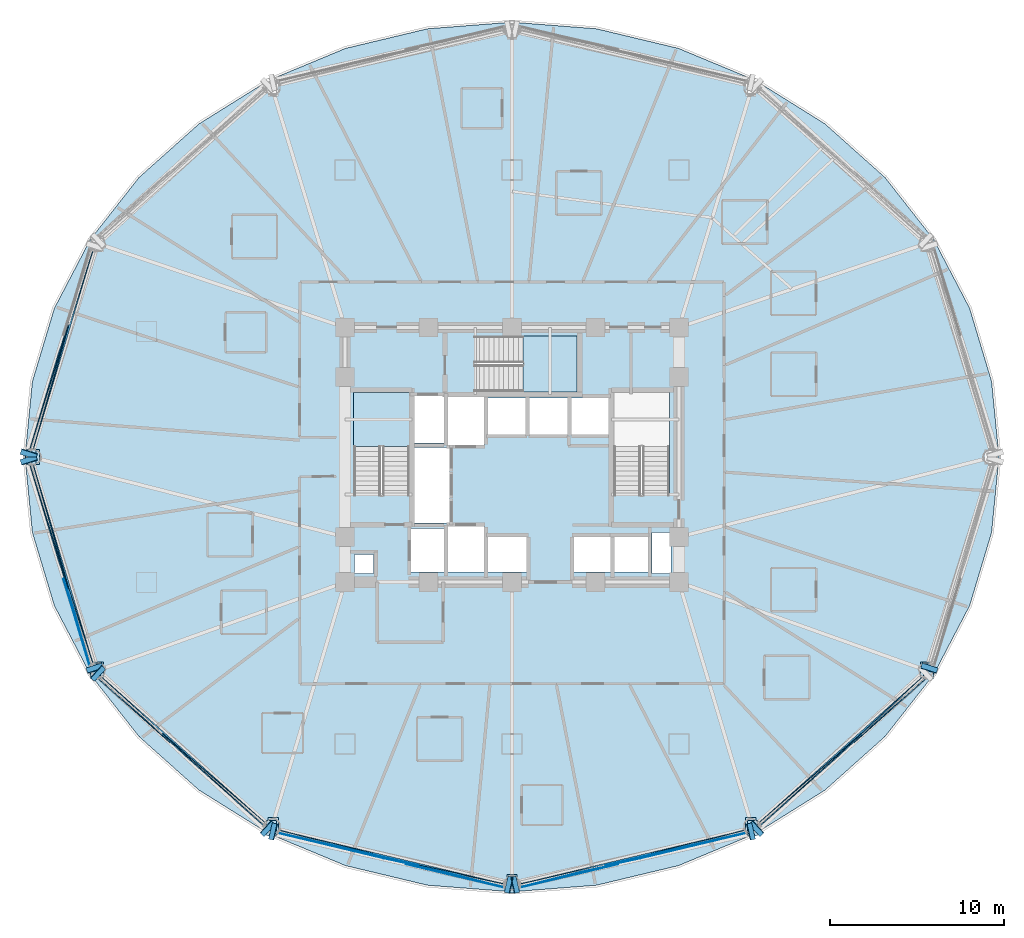
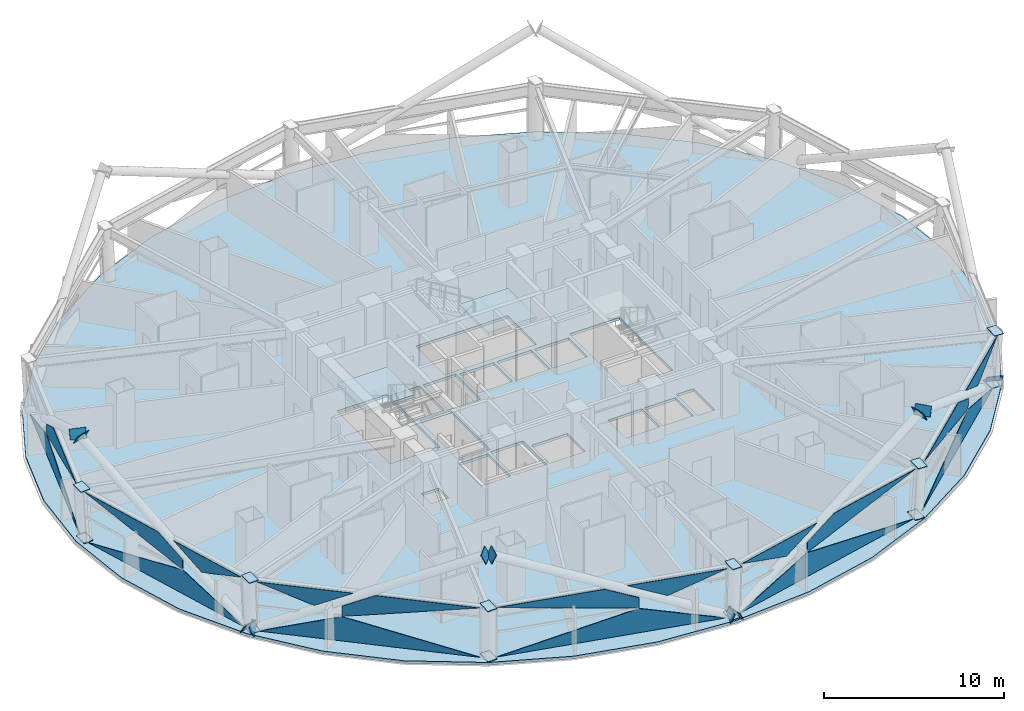
# One storey, part 5 of 16: 40 plates, 3 slabs, 8 elements without a shape of their own.
"""IFC4 building model written with IfcOpenShell, lengths in metres."""

from ifc_helpers import new_model, si_unit, direction, frame, origin, place, context, subcontext, project, spatial, polyline, outline, extrude, material, layer, layer_set, type_object, element, aggregate, save


model = new_model("IFC4")

# Units and contexts
model_context = context("Model", 3, precision=1e-05, world=origin(), true_north=direction((0.0, 1.0)))
body_context = subcontext(model_context, "Body", "Model", "MODEL_VIEW")
ifc_project = project(units=[si_unit("LENGTHUNIT", "METRE"), si_unit("AREAUNIT", "SQUARE_METRE"), si_unit("VOLUMEUNIT", "CUBIC_METRE"), si_unit("PLANEANGLEUNIT", "RADIAN"), si_unit("MASSUNIT", "GRAM", prefix="KILO")], contexts=[model_context])

# Site, building, storey
site_placement = place(None, origin())
site = spatial("IfcSite", under=ifc_project, at=site_placement, CompositionType="ELEMENT")
building_placement = place(site_placement, origin())
building = spatial("IfcBuilding", under=site, at=building_placement, Name="Vantalir Tower", CompositionType="ELEMENT")
storey_placement = place(building_placement, frame((0.0, 0.0, 64.5)))
storey = spatial("IfcBuildingStorey", under=building, at=storey_placement, Name="L15", CompositionType="ELEMENT", Elevation=64.5)

# Curtain wall, plates
ifc_material_1 = material(Name="Champagne-silver PVDF aluminium and double-silver Low-E glass", Category="aluminium")
ifc_layer_1 = layer(ifc_material_1, 0.18994140625)
ifc_layer_set_1 = layer_set([ifc_layer_1], Name="Champagne-silver PVDF aluminium and double-silver Low-E glass")
curtain_wall_type = type_object("IfcCurtainWallType", Name="CW-DIAMOND-Z1", PredefinedType="USERDEFINED", material=ifc_layer_set_1)
curtain_wall_1_placement = place(storey_placement, origin())
curtain_wall_1 = element("IfcCurtainWall", 1, at=curtain_wall_1_placement, inside=storey, type_object=curtain_wall_type, Name="L15 Quilted Pyramid-Diamond Curtain Wall S06", ObjectType="UNITISED CURTAIN WALL", PredefinedType="USERDEFINED")
ifc_material_2 = material(Name="Double-silver Low-E laminated glass IGU", Category="glass")
ifc_layer_2 = layer(ifc_material_2, 0.028076171875)
ifc_layer_set_2 = layer_set([ifc_layer_2], Name="Double-silver Low-E laminated glass IGU")
plate_type_1 = type_object("IfcPlateType", Name="CWP-IGU-28", PredefinedType="CURTAIN_PANEL", material=ifc_layer_set_2)
plate_1_placement = place(storey_placement, frame((7.42236328125, 36.855712890625, 0.046630859375), z_axis=(0.955438822627, -0.287171657757, 0.068330777817), x_axis=(-0.287843084169, -0.957677585869, -2.0525035e-05)))
plate_1 = element("IfcPlate", 2, at=plate_1_placement, type_object=plate_type_1, Name="CW-L15-S06 Pyramid Diamond Facet 1L", PredefinedType="CURTAIN_PANEL", context=body_context, shape_type="SweptSolid", body=[
    extrude(outline(polyline([(0.0, 0.0), (11.894772927721332, -6.754579534584693e-17), (4.525849050805046, -1.7309452362101154), (0.0, 0.0)])), origin(), (0.0, 0.0, -1.0), 0.028076171875),
])
plate_2_placement = place(storey_placement, frame((5.41357421875, 30.83349609375, 3.5234375), z_axis=(0.956868029532, -0.287623310642, 0.040943927936), x_axis=(-0.287866437535, -0.957670565582, 4.4262389e-05)))
plate_2 = element("IfcPlate", 3, at=plate_2_placement, type_object=plate_type_1, Name="CW-L15-S06 Pyramid Diamond Facet 2U", PredefinedType="CURTAIN_PANEL", context=body_context, shape_type="SweptSolid", body=[
    extrude(outline(polyline([(0.0, 0.0), (5.606488315693612, 4.0657581468206416e-19), (-1.81963418350512, 1.728175269601233), (-1.8196330901900866, 1.0080849964025071), (0.0, 0.0)])), origin(), (0.0, 0.0, -1.0), 0.028076171875),
])
aggregate(curtain_wall_1, [plate_1, plate_2])

curtain_wall_2_placement = place(storey_placement, origin())
curtain_wall_2 = element("IfcCurtainWall", 4, at=curtain_wall_2_placement, inside=storey, type_object=curtain_wall_type, Name="L15 Quilted Pyramid-Diamond Curtain Wall S07", ObjectType="UNITISED CURTAIN WALL", PredefinedType="USERDEFINED")
plate_3_placement = place(storey_placement, frame((3.99853515625, 24.53564453125, 0.04638671875), z_axis=(0.955444224539, 0.287148665041, 0.068351868745), x_axis=(0.287820454072, -0.957684387362, 2.0523421e-05)))
plate_3 = element("IfcPlate", 5, at=plate_3_placement, type_object=plate_type_1, Name="CW-L15-S07 Pyramid Diamond Facet 1L", PredefinedType="CURTAIN_PANEL", context=body_context, shape_type="SweptSolid", body=[
    extrude(outline(polyline([(0.0, 0.0), (11.895708163059952, 9.378348791999613e-18), (7.369628095960275, -1.7309477403044795), (0.0, 0.0)])), origin(), (0.0, 0.0, -1.0), 0.028076171875),
])
plate_4_placement = place(storey_placement, frame((3.799560546875, 24.53564453125, 3.523681640625), z_axis=(0.956876196005, 0.287597927139, 0.040931379464), x_axis=(0.287840886533, -0.957678245589, -4.4324491e-05)))
plate_4 = element("IfcPlate", 6, at=plate_4_placement, type_object=plate_type_1, Name="CW-L15-S07 Pyramid Diamond Facet 2U", PredefinedType="CURTAIN_PANEL", context=body_context, shape_type="SweptSolid", body=[
    extrude(outline(polyline([(0.0, 0.0), (5.606955927414046, 2.087089182034596e-18), (7.426821789062215, 1.008083985041291), (7.426822137821359, 1.728174256952261), (0.0, 0.0)])), origin(), (0.0, 0.0, -1.0), 0.028076171875),
])
plate_5_placement = place(storey_placement, frame((5.733154296875, 17.9912109375, 3.522216796875), z_axis=(0.956861231591, 0.287639315879, 0.040990333471), x_axis=(0.287881267678, -0.957666108683, 0.0)))
plate_5 = element("IfcPlate", 7, at=plate_5_placement, type_object=plate_type_1, Name="CW-L15-S07 Pyramid Diamond Facet 2U Infill Light", PredefinedType="CURTAIN_PANEL", context=body_context, shape_type="SweptSolid", body=[
    extrude(outline(polyline([(0.0, 0.0), (5.164686185539218, -6.938893903907228e-18), (2.097376451677852, 1.1621095154642196), (0.0, 0.0)])), origin(), (0.0, 0.0, -1.0), 0.028076171875),
])
aggregate(curtain_wall_2, [plate_3, plate_4, plate_5])

curtain_wall_3_placement = place(storey_placement, origin())
curtain_wall_3 = element("IfcCurtainWall", 8, at=curtain_wall_3_placement, inside=storey, type_object=curtain_wall_type, Name="L15 Quilted Pyramid-Diamond Curtain Wall S08", ObjectType="UNITISED CURTAIN WALL", PredefinedType="USERDEFINED")
plate_6_placement = place(storey_placement, frame((7.923828125, 12.356201171875, 0.04638671875), z_axis=(0.664007706933, 0.744854875402, 0.065459756521), x_axis=(0.746455866423, -0.665434925055, 0.0)))
plate_6 = element("IfcPlate", 9, at=plate_6_placement, type_object=plate_type_1, Name="CW-L15-S08 Pyramid Diamond Facet 1L", PredefinedType="CURTAIN_PANEL", context=body_context, shape_type="SweptSolid", body=[
    extrude(outline(polyline([(0.0, 0.0), (12.583552261789077, 5.551115123125783e-17), (4.767922736345483, -1.7310075694680422), (0.0, 0.0)])), origin(), (0.0, 0.0, -1.0), 0.028076171875),
])
plate_7_placement = place(storey_placement, frame((12.794921875, 7.771728515625, 3.523681640625), z_axis=(0.664935767358, 0.745912497971, 0.038405346753), x_axis=(0.74646321303, -0.66542668386, -2.4441e-07)))
plate_7 = element("IfcPlate", 10, at=plate_7_placement, type_object=plate_type_1, Name="CW-L15-S08 Pyramid Diamond Facet 2U", PredefinedType="CURTAIN_PANEL", context=body_context, shape_type="SweptSolid", body=[
    extrude(outline(polyline([(0.0, 0.0), (5.925369866895249, 1.3877787807814457e-17), (-1.9188601741947784, 1.72857065678193), (-1.9188820532550308, 1.0117346601412358), (0.0, 0.0)])), origin(), (0.0, 0.0, -1.0), 0.028076171875),
])
plate_8_placement = place(storey_placement, frame((7.730712890625, 12.243408203125, 3.522216796875), z_axis=(0.664945850475, 0.745900668065, 0.038460490318), x_axis=(0.74645181292, -0.665439470584, 4.4463415e-05)))
plate_8 = element("IfcPlate", 11, at=plate_8_placement, type_object=plate_type_1, Name="CW-L15-S08 Pyramid Diamond Facet 2U Infill Light", PredefinedType="CURTAIN_PANEL", context=body_context, shape_type="SweptSolid", body=[
    extrude(outline(polyline([(0.0, 0.0), (5.490820360480541, 5.2583805365546965e-18), (3.2723976049853505, 1.1694677983057429), (0.0, 0.0)])), origin(), (0.0, 0.0, -1.0), 0.028076171875),
])
aggregate(curtain_wall_3, [plate_6, plate_7, plate_8])

curtain_wall_4_placement = place(storey_placement, origin())
curtain_wall_4 = element("IfcCurtainWall", 12, at=curtain_wall_4_placement, inside=storey, type_object=curtain_wall_type, Name="L15 Quilted Pyramid-Diamond Curtain Wall S09", ObjectType="UNITISED CURTAIN WALL", PredefinedType="USERDEFINED")
plate_9_placement = place(storey_placement, frame((18.150634765625, 3.54736328125, 0.046142578125), z_axis=(0.231834465654, 0.970680747361, 0.06349541115), x_axis=(0.972643142153, -0.232304364321, 1.8439781e-05)))
plate_9 = element("IfcPlate", 13, at=plate_9_placement, type_object=plate_type_1, Name="CW-L15-S09 Pyramid Diamond Facet 1L", PredefinedType="CURTAIN_PANEL", context=body_context, shape_type="SweptSolid", body=[
    extrude(outline(polyline([(0.0, 0.0), (13.239887260572155, -3.277001066337437e-17), (8.2038546401365, -1.7311251107263192), (0.0, 0.0)])), origin(), (0.0, 0.0, -1.0), 0.028076171875),
])
plate_10_placement = place(storey_placement, frame((18.0517578125, 3.393310546875, 3.523681640625), z_axis=(0.232173462432, 0.972010709242, 0.035925818853), x_axis=(0.972638584129, -0.232323448372, 3.35488e-07)))
plate_10 = element("IfcPlate", 14, at=plate_10_placement, type_object=plate_type_1, Name="CW-L15-S09 Pyramid Diamond Facet 2U", PredefinedType="CURTAIN_PANEL", context=body_context, shape_type="SweptSolid", body=[
    extrude(outline(polyline([(0.0, 0.0), (6.257657723972356, 6.938893903907228e-18), (8.26410109731613, 1.0067561901221824), (8.264195252114106, 1.7286556530630475), (0.0, 0.0)])), origin(), (0.0, 0.0, -1.0), 0.028076171875),
])
plate_11_placement = place(storey_placement, frame((25.41015625, 1.602783203125, 3.5224609375), z_axis=(0.232156329139, 0.972019813494, 0.035789956905), x_axis=(0.972642952505, -0.232305159094, 0.0)))
plate_11 = element("IfcPlate", 15, at=plate_11_placement, type_object=plate_type_1, Name="CW-L15-S09 Pyramid Diamond Facet 2U Infill Light", PredefinedType="CURTAIN_PANEL", context=body_context, shape_type="SweptSolid", body=[
    extrude(outline(polyline([(0.0, 0.0), (5.768653162291202, 0.0), (2.3318967122401646, 1.1701832900863727), (0.0, 0.0)])), origin(), (0.0, 0.0, -1.0), 0.028076171875),
])
aggregate(curtain_wall_4, [plate_9, plate_10, plate_11])

curtain_wall_5_placement = place(storey_placement, origin())
curtain_wall_5 = element("IfcCurtainWall", 16, at=curtain_wall_5_placement, inside=storey, type_object=curtain_wall_type, Name="L15 Quilted Pyramid-Diamond Curtain Wall S10", ObjectType="UNITISED CURTAIN WALL", PredefinedType="USERDEFINED")
plate_12_placement = place(storey_placement, frame((31.9716796875, 0.4716796875, 0.04638671875), z_axis=(-0.231834465654, 0.970680747361, 0.06349541115), x_axis=(0.972643142153, 0.232304364321, -1.8439781e-05)))
plate_12 = element("IfcPlate", 17, at=plate_12_placement, type_object=plate_type_1, Name="CW-L15-S10 Pyramid Diamond Facet 1L", PredefinedType="CURTAIN_PANEL", context=body_context, shape_type="SweptSolid", body=[
    extrude(outline(polyline([(0.0, 0.0), (13.239887260572155, 3.277001066337437e-17), (5.036032620435656, -1.7311251107263192), (0.0, 0.0)])), origin(), (0.0, 0.0, -1.0), 0.028076171875),
])
plate_13_placement = place(storey_placement, frame((38.86181640625, 1.939453125, 3.523681640625), z_axis=(-0.232173462432, 0.972010709242, 0.035925818853), x_axis=(0.972638584129, 0.232323448372, -3.35488e-07)))
plate_13 = element("IfcPlate", 18, at=plate_13_placement, type_object=plate_type_1, Name="CW-L15-S10 Pyramid Diamond Facet 2U", PredefinedType="CURTAIN_PANEL", context=body_context, shape_type="SweptSolid", body=[
    extrude(outline(polyline([(0.0, 0.0), (6.257657723972356, -6.938893903907228e-18), (-2.006537528141751, 1.7286556530630475), (-2.0064433733437745, 1.0067561901221824), (0.0, 0.0)])), origin(), (0.0, 0.0, -1.0), 0.028076171875),
])
plate_14_placement = place(storey_placement, frame((31.97900390625, 0.2626953125, 3.5224609375), z_axis=(-0.232156329139, 0.972019813494, 0.035789956905), x_axis=(0.972642952505, 0.232305159094, 0.0)))
plate_14 = element("IfcPlate", 19, at=plate_14_placement, type_object=plate_type_1, Name="CW-L15-S10 Pyramid Diamond Facet 2U Infill Light", PredefinedType="CURTAIN_PANEL", context=body_context, shape_type="SweptSolid", body=[
    extrude(outline(polyline([(0.0, 0.0), (5.768653162291202, 0.0), (3.4367564500510377, 1.1701832900863727), (0.0, 0.0)])), origin(), (0.0, 0.0, -1.0), 0.028076171875),
])
aggregate(curtain_wall_5, [plate_12, plate_13, plate_14])

curtain_wall_6_placement = place(storey_placement, origin())
curtain_wall_6 = element("IfcCurtainWall", 20, at=curtain_wall_6_placement, inside=storey, type_object=curtain_wall_type, Name="L15 Quilted Pyramid-Diamond Curtain Wall S11", ObjectType="UNITISED CURTAIN WALL", PredefinedType="USERDEFINED")
plate_15_placement = place(storey_placement, frame((45.68310546875, 3.982666015625, 0.04638671875), z_axis=(-0.664007706933, 0.744854875402, 0.065459756521), x_axis=(0.746455866423, 0.665434925055, 0.0)))
plate_15 = element("IfcPlate", 21, at=plate_15_placement, type_object=plate_type_1, Name="CW-L15-S11 Pyramid Diamond Facet 1L", PredefinedType="CURTAIN_PANEL", context=body_context, shape_type="SweptSolid", body=[
    extrude(outline(polyline([(0.0, 0.0), (12.583552261789077, -5.551115123125783e-17), (7.815629525443594, -1.7310075694680422), (0.0, 0.0)])), origin(), (0.0, 0.0, -1.0), 0.028076171875),
])
plate_16_placement = place(storey_placement, frame((45.781982421875, 3.828857421875, 3.523681640625), z_axis=(-0.664935767358, 0.745912497971, 0.038405346753), x_axis=(0.74646321303, 0.66542668386, 2.4441e-07)))
plate_16 = element("IfcPlate", 22, at=plate_16_placement, type_object=plate_type_1, Name="CW-L15-S11 Pyramid Diamond Facet 2U", PredefinedType="CURTAIN_PANEL", context=body_context, shape_type="SweptSolid", body=[
    extrude(outline(polyline([(0.0, 0.0), (5.925369866895249, -1.3877787807814457e-17), (7.844251920150279, 1.0117346601412358), (7.844230041090026, 1.72857065678193), (0.0, 0.0)])), origin(), (0.0, 0.0, -1.0), 0.028076171875),
])
plate_17_placement = place(storey_placement, frame((51.170654296875, 8.589599609375, 3.5224609375), z_axis=(-0.664945850475, 0.745900668065, 0.038460490318), x_axis=(0.74645181292, 0.665439470584, -4.4463415e-05)))
plate_17 = element("IfcPlate", 23, at=plate_17_placement, type_object=plate_type_1, Name="CW-L15-S11 Pyramid Diamond Facet 2U Infill Light", PredefinedType="CURTAIN_PANEL", context=body_context, shape_type="SweptSolid", body=[
    extrude(outline(polyline([(0.0, 0.0), (5.490820360480541, -5.2583805365546965e-18), (2.2184227554951907, 1.1694677983057429), (0.0, 0.0)])), origin(), (0.0, 0.0, -1.0), 0.028076171875),
])
aggregate(curtain_wall_6, [plate_15, plate_16, plate_17])

# Plates
ifc_material_3 = material(Name="Steel S460", Category="steel")
ifc_layer_3 = layer(ifc_material_3, 0.0400390625)
ifc_layer_set_3 = layer_set([ifc_layer_3], Name="Steel S460")
plate_type_2 = type_object("IfcPlateType", Name="PLT-KN-Z1", PredefinedType="USERDEFINED", material=ifc_layer_set_3)
plate_18_placement = place(storey_placement, frame((3.21142578125, 25.156982421875, 6.877685546875), z_axis=(-0.264169892767, -0.833989972101, 0.484432651862), x_axis=(0.953320933073, -0.301958934783, 1.6442053e-05)))
element("IfcPlate", 24, at=plate_18_placement, inside=storey, type_object=plate_type_2, Name="Node Cap Plate MEM-DG-L15-R16L End", ObjectType="FLANGE_PLATE", PredefinedType="USERDEFINED", context=body_context, shape_type="SweptSolid", body=[
    extrude(outline(polyline([(0.0, 0.0), (0.9501031274583246, 0.0), (0.9499861279249002, 0.6200813224401526), (0.00011574483500158209, 0.6201170316821016), (0.0, 0.0)])), origin(), (0.0, 0.0, -1.0), 0.0400390625),
])
plate_19_placement = place(storey_placement, frame((7.49658203125, 12.0947265625, -0.087890625), z_axis=(0.652413607484, -0.597288067478, 0.466479848673), x_axis=(0.675274200106, 0.737566778768, -3.9103522e-05)))
element("IfcPlate", 25, at=plate_19_placement, inside=storey, type_object=plate_type_2, Name="Node Cap Plate MEM-DG-L15-R22L Start", ObjectType="FLANGE_PLATE", PredefinedType="USERDEFINED", context=body_context, shape_type="SweptSolid", body=[
    extrude(outline(polyline([(0.0, 0.0), (0.950057923081679, -2.7755575615628914e-17), (0.9500032223035488, 0.6199629869578609), (0.00011016108712980399, 0.6198789936269822), (0.0, 0.0)])), origin(), (0.0, 0.0, -1.0), 0.0400390625),
])
plate_20_placement = place(storey_placement, frame((17.2431640625, 3.17041015625, 6.878173828125), z_axis=(0.652402237324, -0.59738173151, 0.466375800822), x_axis=(0.675324275393, 0.737520930587, -3.297012e-06)))
element("IfcPlate", 26, at=plate_20_placement, inside=storey, type_object=plate_type_2, Name="Node Cap Plate MEM-DG-L15-R22L End", ObjectType="FLANGE_PLATE", PredefinedType="USERDEFINED", context=body_context, shape_type="SweptSolid", body=[
    extrude(outline(polyline([(0.0, 0.0), (0.9500579263959366, 0.0), (0.9498231611995805, 0.6198860794901495), (0.00011016771526027019, 0.6198789987054031), (0.0, 0.0)])), origin(), (0.0, 0.0, -1.0), 0.0400390625),
])
plate_21_placement = place(storey_placement, frame((7.9091796875, 13.15576171875, -0.08056640625), z_axis=(-0.264141978226, 0.833901845301, 0.484599554006), x_axis=(-0.953315431844, -0.301976302279, 1.6450009e-05)))
element("IfcPlate", 27, at=plate_21_placement, inside=storey, type_object=plate_type_2, Name="Node Cap Plate MEM-DG-L15-R22R Start", ObjectType="FLANGE_PLATE", PredefinedType="USERDEFINED", context=body_context, shape_type="SweptSolid", body=[
    extrude(outline(polyline([(0.0, 0.0), (0.9498703837612374, -2.7755575615628914e-17), (0.9500106945106459, 0.6198677415420127), (-9.243227594399259e-05, 0.6199034718396441), (0.0, 0.0)])), origin(), (0.0, 0.0, -1.0), 0.0400390625),
])
plate_22_placement = place(storey_placement, frame((4.1171875, 25.1298828125, 6.877685546875), z_axis=(-0.264169892767, 0.833989972101, 0.484432651862), x_axis=(-0.953320933073, -0.301958934783, -1.6442053e-05)))
element("IfcPlate", 28, at=plate_22_placement, inside=storey, type_object=plate_type_2, Name="Node Cap Plate MEM-DG-L15-R22R End", ObjectType="FLANGE_PLATE", PredefinedType="USERDEFINED", context=body_context, shape_type="SweptSolid", body=[
    extrude(outline(polyline([(0.0, 0.0), (0.9501031274583246, 0.0), (0.949987382623323, 0.6201170316821016), (0.00011699953342436739, 0.6200813224401526), (0.0, 0.0)])), origin(), (0.0, 0.0, -1.0), 0.0400390625),
])
plate_23_placement = place(storey_placement, frame((31.939208984375, -0.02880859375, -0.0947265625), z_axis=(0.871726817096, 0.19703414359, 0.448631143162), x_axis=(-0.220465920379, 0.975394678041, 0.0)))
element("IfcPlate", 29, at=plate_23_placement, inside=storey, type_object=plate_type_2, Name="Node Cap Plate MEM-DG-L15-R28L Start", ObjectType="FLANGE_PLATE", PredefinedType="USERDEFINED", context=body_context, shape_type="SweptSolid", body=[
    extrude(outline(polyline([(0.0, 0.0), (0.950136220100158, 1.3877787807814457e-17), (0.9501639479695239, 0.619832755492108), (2.7727869365869184e-05, 0.619832755492108), (0.0, 0.0)])), origin(), (0.0, 0.0, -1.0), 0.0400390625),
])
plate_24_placement = place(storey_placement, frame((45.496337890625, 3.036376953125, 6.878662109375), z_axis=(0.871943064998, 0.197134953826, 0.448166376898), x_axis=(-0.220521189443, 0.975382184073, 0.0)))
element("IfcPlate", 30, at=plate_24_placement, inside=storey, type_object=plate_type_2, Name="Node Cap Plate MEM-DG-L15-R28L End", ObjectType="FLANGE_PLATE", PredefinedType="USERDEFINED", context=body_context, shape_type="SweptSolid", body=[
    extrude(outline(polyline([(0.0, 0.0), (0.9498980881587907, -1.3877787807814457e-17), (0.9498877346624415, 0.6199441983026928), (-1.0353496349278836e-05, 0.6199441983026928), (0.0, 0.0)])), origin(), (0.0, 0.0, -1.0), 0.0400390625),
])
plate_25_placement = place(storey_placement, frame((31.270263671875, 0.89794921875, -0.0947265625), z_axis=(-0.871726817096, 0.19703414359, 0.448631143162), x_axis=(-0.220465920379, -0.975394678041, 0.0)))
element("IfcPlate", 31, at=plate_25_placement, inside=storey, type_object=plate_type_2, Name="Node Cap Plate MEM-DG-L15-R28R Start", ObjectType="FLANGE_PLATE", PredefinedType="USERDEFINED", context=body_context, shape_type="SweptSolid", body=[
    extrude(outline(polyline([(0.0, 0.0), (0.950136220100158, -1.3877787807814457e-17), (0.9501084922307922, 0.619832755492108), (-2.7727869365869184e-05, 0.619832755492108), (0.0, 0.0)])), origin(), (0.0, 0.0, -1.0), 0.0400390625),
])
plate_26_placement = place(storey_placement, frame((17.713134765625, 3.962890625, 6.878662109375), z_axis=(-0.871943064998, 0.197134953826, 0.448166376898), x_axis=(-0.220521189443, -0.975382184073, 0.0)))
element("IfcPlate", 32, at=plate_26_placement, inside=storey, type_object=plate_type_2, Name="Node Cap Plate MEM-DG-L15-R28R End", ObjectType="FLANGE_PLATE", PredefinedType="USERDEFINED", context=body_context, shape_type="SweptSolid", body=[
    extrude(outline(polyline([(0.0, 0.0), (0.9498980881587907, 1.3877787807814457e-17), (0.9499084416551401, 0.6199441983026929), (1.0353496349278836e-05, 0.6199441983026928), (0.0, 0.0)])), origin(), (0.0, 0.0, -1.0), 0.0400390625),
])
plate_27_placement = place(storey_placement, frame((55.996337890625, 12.868896484375, -0.08056640625), z_axis=(0.264141978226, 0.833901845301, 0.484599554006), x_axis=(-0.953315431844, 0.301976302279, -1.6450009e-05)))
element("IfcPlate", 33, at=plate_27_placement, inside=storey, type_object=plate_type_2, Name="Node Cap Plate MEM-DG-L15-R34L Start", ObjectType="FLANGE_PLATE", PredefinedType="USERDEFINED", context=body_context, shape_type="SweptSolid", body=[
    extrude(outline(polyline([(0.0, 0.0), (0.9498703837612374, 2.7755575615628914e-17), (0.9499628160371815, 0.6199034718396441), (-0.00014031074940848502, 0.6198677415420127), (0.0, 0.0)])), origin(), (0.0, 0.0, -1.0), 0.0400390625),
])
plate_28_placement = place(storey_placement, frame((45.115234375, 3.87109375, 6.878173828125), z_axis=(-0.652402237324, -0.59738173151, 0.466375800822), x_axis=(0.675324275393, -0.737520930587, 3.297012e-06)))
element("IfcPlate", 34, at=plate_28_placement, inside=storey, type_object=plate_type_2, Name="Node Cap Plate MEM-DG-L15-R34R End", ObjectType="FLANGE_PLATE", PredefinedType="USERDEFINED", context=body_context, shape_type="SweptSolid", body=[
    extrude(outline(polyline([(0.0, 0.0), (0.9500579263959366, 0.0), (0.9499477586806763, 0.6198789987054031), (0.000234765196355949, 0.6198860794901495), (0.0, 0.0)])), origin(), (0.0, 0.0, -1.0), 0.0400390625),
])
ifc_layer_4 = layer(ifc_material_3, 0.035888671875)
ifc_layer_set_4 = layer_set([ifc_layer_4], Name="Steel S460")
plate_type_3 = type_object("IfcPlateType", Name="PLT-KN-Z2", PredefinedType="USERDEFINED", material=ifc_layer_set_4)
for number, where, z_axis, x_axis, name in (
    (35, (3.558837890625, 25.43994140625, 3.581787109375), (-0.055563272425, 0.0, 0.998455168126), (0.0, -1.0, 0.0), "L15 Ring Column Top Cap RC07"),
    (36, (3.756591796875, 25.43994140625, 0.036865234375), (-0.055563272425, 0.0, 0.998455168126), (0.0, -1.0, 0.0), "L15 Ring Column Base Cap RC07"),
):
    element("IfcPlate", number, at=place(storey_placement, frame(where, z_axis=z_axis, x_axis=x_axis)), inside=storey, type_object=plate_type_3, Name=name, ObjectType="FLANGE_PLATE", PredefinedType="USERDEFINED", context=body_context, shape_type="SweptSolid", body=[
        extrude(outline(polyline([(0.0, 0.0), (0.8798828125, 0.0), (0.8798828125, 0.5799975612194483), (0.0, 0.5799975612194483), (0.0, 0.0)])), origin(), (0.0, 0.0, -1.0), 0.035888671875),
    ])
for number, where, z_axis, x_axis, name in (
    (37, (7.262939453125, 13.12451171875, 3.594970703125), (-0.048421454579, -0.024942103046, 0.998515525283), (0.0, -0.999688166104, -0.024971394657), "L15 Ring Column Top Cap RC08"),
    (38, (7.434814453125, 13.212890625, 0.0498046875), (-0.048421454579, -0.024942103046, 0.998515525283), (0.0, -0.999688166104, -0.024971394657), "L15 Ring Column Base Cap RC08"),
):
    element("IfcPlate", number, at=place(storey_placement, frame(where, z_axis=z_axis, x_axis=x_axis)), inside=storey, type_object=plate_type_3, Name=name, ObjectType="FLANGE_PLATE", PredefinedType="USERDEFINED", context=body_context, shape_type="SweptSolid", body=[
        extrude(outline(polyline([(0.0, 0.0), (0.8799130585919809, -2.168404344971009e-19), (0.8799441509046642, 0.5800260775444723), (3.1092312683349515e-05, 0.5800260775444723), (0.0, 0.0)])), origin(), (0.0, 0.0, -1.0), 0.035888671875),
    ])
plate_29_placement = place(storey_placement, frame((17.38427734375, 4.109619140625, 3.60888671875), z_axis=(-0.027588178644, -0.043119846735, 0.998688926151), x_axis=(3.657043e-06, -0.999069202449, -0.043136164694)))
element("IfcPlate", 39, at=plate_29_placement, inside=storey, type_object=plate_type_3, Name="L15 Ring Column Top Cap RC09", ObjectType="FLANGE_PLATE", PredefinedType="USERDEFINED", context=body_context, shape_type="SweptSolid", body=[
    extrude(outline(polyline([(0.0, 0.0), (0.8799644295767788, 2.168404344971009e-19), (0.8800137563295094, 0.5800515489700938), (-0.0002051179169818829, 0.5800579884870266), (0.0, 0.0)])), origin(), (0.0, 0.0, -1.0), 0.035888671875),
])
plate_30_placement = place(storey_placement, frame((17.482666015625, 4.2626953125, 0.06396484375), z_axis=(-0.027597250026, -0.043125811994, 0.998688417942), x_axis=(-3.823275e-06, -0.9990689354, -0.04314234932)))
element("IfcPlate", 40, at=plate_30_placement, inside=storey, type_object=plate_type_3, Name="L15 Ring Column Base Cap RC09", ObjectType="FLANGE_PLATE", PredefinedType="USERDEFINED", context=body_context, shape_type="SweptSolid", body=[
    extrude(outline(polyline([(0.0, 0.0), (0.8799749616376851, 0.0), (0.8800093199073152, 0.580058279544429), (4.489106975717858e-05, 0.5800515482479638), (0.0, 0.0)])), origin(), (0.0, 0.0, -1.0), 0.035888671875),
])
plate_31_placement = place(storey_placement, frame((31.2099609375, 0.80908203125, 3.619873046875), z_axis=(0.0, -0.049660871847, 0.998766137696), x_axis=(0.0, -0.998766137696, -0.049660871847)))
element("IfcPlate", 41, at=plate_31_placement, inside=storey, type_object=plate_type_3, Name="L15 Ring Column Top Cap RC10", ObjectType="FLANGE_PLATE", PredefinedType="USERDEFINED", context=body_context, shape_type="SweptSolid", body=[
    extrude(outline(polyline([(0.0, 0.0), (0.8799920390050758, 0.0), (0.8799920390050758, 0.5800781250000001), (0.0, 0.5800781250000001), (0.0, 0.0)])), origin(), (0.0, 0.0, -1.0), 0.035888671875),
])
plate_32_placement = place(storey_placement, frame((31.2099609375, 0.98583984375, 0.074951171875), z_axis=(0.0, -0.049937616944, 0.998752338878), x_axis=(0.0, -0.998752338878, -0.049937616944)))
element("IfcPlate", 42, at=plate_32_placement, inside=storey, type_object=plate_type_3, Name="L15 Ring Column Base Cap RC10", ObjectType="FLANGE_PLATE", PredefinedType="USERDEFINED", context=body_context, shape_type="SweptSolid", body=[
    extrude(outline(polyline([(0.0, 0.0), (0.8800041970239604, 0.0), (0.8800041970239604, 0.5800781249999999), (0.0, 0.5800781249999999), (0.0, 0.0)])), origin(), (0.0, 0.0, -1.0), 0.035888671875),
])
plate_33_placement = place(storey_placement, frame((45.035888671875, 4.109130859375, 3.625), z_axis=(0.027588178644, -0.043119846735, 0.998688926151), x_axis=(3.655986e-06, -0.999069193743, -0.043136366336)))
element("IfcPlate", 43, at=plate_33_placement, inside=storey, type_object=plate_type_3, Name="L15 Ring Column Top Cap RC11", ObjectType="FLANGE_PLATE", PredefinedType="USERDEFINED", context=body_context, shape_type="SweptSolid", body=[
    extrude(outline(polyline([(0.0, 0.0), (0.8802188742700465, 0.0), (0.8801737910661444, 0.5800515493154366), (0.00020936151291379117, 0.5800579869708995), (0.0, 0.0)])), origin(), (0.0, 0.0, -1.0), 0.035888671875),
])
plate_34_placement = place(storey_placement, frame((44.9375, 4.261962890625, 0.079833984375), z_axis=(0.027597250026, -0.043125811994, 0.998688417942), x_axis=(-3.823321e-06, -0.999068944507, -0.043142138411)))
element("IfcPlate", 44, at=plate_34_placement, inside=storey, type_object=plate_type_3, Name="L15 Ring Column Base Cap RC11", ObjectType="FLANGE_PLATE", PredefinedType="USERDEFINED", context=body_context, shape_type="SweptSolid", body=[
    extrude(outline(polyline([(0.0, 0.0), (0.8799644288633036, -2.168404344971009e-19), (0.8799256334322181, 0.5800582792646339), (-4.932817972107316e-05, 0.5800515478875983), (0.0, 0.0)])), origin(), (0.0, 0.0, -1.0), 0.035888671875),
])
for number, where, z_axis, x_axis, name in (
    (45, (55.15771484375, 13.123779296875, 3.623046875), (0.048421454579, -0.024942103046, 0.998515525283), (0.0, -0.999688166104, -0.024971394657), "L15 Ring Column Top Cap RC12"),
    (46, (54.98583984375, 13.212158203125, 0.077880859375), (0.048421454579, -0.024942103046, 0.998515525283), (0.0, -0.999688166104, -0.024971394657), "L15 Ring Column Base Cap RC12"),
):
    element("IfcPlate", number, at=place(storey_placement, frame(where, z_axis=z_axis, x_axis=x_axis)), inside=storey, type_object=plate_type_3, Name=name, ObjectType="FLANGE_PLATE", PredefinedType="USERDEFINED", context=body_context, shape_type="SweptSolid", body=[
        extrude(outline(polyline([(0.0, 0.0), (0.8799130585919809, 2.168404344971009e-19), (0.8798819662792975, 0.5800260775444723), (-3.1092312683349515e-05, 0.5800260775444723), (0.0, 0.0)])), origin(), (0.0, 0.0, -1.0), 0.035888671875),
    ])

# Stair, slab
ifc_material_4 = material(Name="Concrete C40/50", Category="concrete")
stair_type = type_object("IfcStairType", Name="STR-CORE-1450", PredefinedType="HALF_TURN_STAIR", material=ifc_material_4)
stair_1_placement = place(storey_placement, origin())
stair_1 = element("IfcStair", 47, at=stair_1_placement, inside=storey, type_object=stair_type, Name="L15 Core Exit Stair 1", PredefinedType="HALF_TURN_STAIR")
ifc_layer_5 = layer(ifc_material_4, 0.199951171875)
ifc_layer_set_5 = layer_set([ifc_layer_5], Name="Concrete C40/50")
slab_type_1 = type_object("IfcSlabType", Name="SL-LAND-200", PredefinedType="LANDING", material=ifc_layer_set_5)
slab_1_placement = place(storey_placement, frame((0.0, 0.0, 1.675048828125)))
slab_1 = element("IfcSlab", 48, at=slab_1_placement, type_object=slab_type_1, Name="ST1 landing 1", PredefinedType="LANDING", context=body_context, shape_type="SweptSolid", body=[
    extrude(outline(polyline([(25.60009765625, 25.590087890625), (25.60009765625, 28.699951171875), (22.39990234375, 28.699951171875), (22.39990234375, 25.590087890625), (25.60009765625, 25.590087890625)])), origin(), (0.0, 0.0, 1.0), 0.199951171875),
])
aggregate(stair_1, [slab_1])

stair_2_placement = place(storey_placement, origin())
stair_2 = element("IfcStair", 49, at=stair_2_placement, inside=storey, type_object=stair_type, Name="L15 Core Exit Stair 3", PredefinedType="HALF_TURN_STAIR")
slab_2_placement = place(storey_placement, frame((0.0, 0.0, 1.675048828125)))
slab_2 = element("IfcSlab", 50, at=slab_2_placement, type_object=slab_type_1, Name="ST3 landing 1", PredefinedType="LANDING", context=body_context, shape_type="SweptSolid", body=[
    extrude(outline(polyline([(32.139892578125, 28.75), (35.25, 28.75), (35.25, 31.949951171875), (32.139892578125, 31.949951171875), (32.139892578125, 28.75)])), origin(), (0.0, 0.0, 1.0), 0.199951171875),
])
aggregate(stair_2, [slab_2])

# Slab
ifc_layer_6 = layer(ifc_material_4, 0.179931640625)
ifc_layer_set_6 = layer_set([ifc_layer_6], Name="Concrete C40/50")
slab_type_2 = type_object("IfcSlabType", Name="SL-TWR-180", PredefinedType="FLOOR", material=ifc_layer_set_6)
slab_3_placement = place(storey_placement, frame((0.0, 0.0, -0.179931640625)))
element("IfcSlab", 51, at=slab_3_placement, inside=storey, type_object=slab_type_2, Name="L15 Primary Structural Slab", PredefinedType="FLOOR", context=body_context, shape_type="SweptSolid", body=[
    extrude(outline(polyline([(7.25, 12.4990234375), (10.050048828125, 8.929931640625), (13.5009765625, 5.847900390625), (17.4990234375, 3.347900390625), (21.923095703125, 1.507080078125), (26.637939453125, 0.37890625), (31.5, -0.0009765625), (36.362060546875, 0.37890625), (41.076904296875, 1.507080078125), (45.5009765625, 3.347900390625), (49.4990234375, 5.847900390625), (52.949951171875, 8.929931640625), (55.75, 12.4990234375), (57.81201171875, 16.448974609375), (59.075927734375, 20.658935546875), (59.5009765625, 25.0), (59.075927734375, 29.341064453125), (57.81201171875, 33.551025390625), (55.75, 37.5), (52.949951171875, 41.070068359375), (49.4990234375, 44.152099609375), (45.5009765625, 46.652099609375), (41.076904296875, 48.492919921875), (36.362060546875, 49.62109375), (31.5, 50.0009765625), (26.637939453125, 49.62109375), (21.923095703125, 48.492919921875), (17.5, 46.652099609375), (13.5009765625, 44.152099609375), (10.050048828125, 41.070068359375), (7.25, 37.5), (5.18798828125, 33.551025390625), (3.924072265625, 29.341064453125), (3.4990234375, 25.0), (3.924072265625, 20.658935546875), (5.18798828125, 16.448974609375), (7.25, 12.4990234375)]), holes=[polyline([(22.39990234375, 22.7900390625), (22.39990234375, 28.699951171875), (25.60009765625, 28.699951171875), (25.60009765625, 22.7900390625), (22.39990234375, 22.7900390625)]), polyline([(37.35009765625, 28.699951171875), (40.550048828125, 28.699951171875), (40.550048828125, 22.7900390625), (37.35009765625, 22.7900390625), (37.35009765625, 28.699951171875)]), polyline([(35.25, 28.75), (29.340087890625, 28.75), (29.340087890625, 31.949951171875), (35.25, 31.949951171875), (35.25, 28.75)]), polyline([(27.60009765625, 18.39990234375), (25.699951171875, 18.39990234375), (25.699951171875, 20.89990234375), (27.60009765625, 20.89990234375), (27.60009765625, 18.39990234375)]), polyline([(25.699951171875, 25.800048828125), (25.699951171875, 28.5), (27.60009765625, 28.5), (27.60009765625, 25.800048828125), (25.699951171875, 25.800048828125)]), polyline([(27.800048828125, 21.0), (29.89990234375, 21.0), (29.89990234375, 18.39990234375), (27.800048828125, 18.39990234375), (27.800048828125, 21.0)]), polyline([(29.89990234375, 28.5), (29.89990234375, 25.699951171875), (27.800048828125, 25.699951171875), (27.800048828125, 28.5), (29.89990234375, 28.5)]), polyline([(32.39990234375, 18.39990234375), (30.10009765625, 18.39990234375), (30.10009765625, 20.39990234375), (32.39990234375, 20.39990234375), (32.39990234375, 18.39990234375)]), polyline([(37.35009765625, 18.39990234375), (37.35009765625, 20.39990234375), (39.35009765625, 20.39990234375), (39.35009765625, 18.39990234375), (37.35009765625, 18.39990234375)]), polyline([(35.0, 20.39990234375), (37.199951171875, 20.39990234375), (37.199951171875, 18.39990234375), (35.0, 18.39990234375), (35.0, 20.39990234375)]), polyline([(32.300048828125, 28.39990234375), (32.300048828125, 26.300048828125), (30.10009765625, 26.300048828125), (30.10009765625, 28.39990234375), (32.300048828125, 28.39990234375)]), polyline([(34.699951171875, 26.300048828125), (32.5, 26.300048828125), (32.5, 28.39990234375), (34.699951171875, 28.39990234375), (34.699951171875, 26.300048828125)]), polyline([(34.89990234375, 26.300048828125), (34.89990234375, 28.39990234375), (37.10009765625, 28.39990234375), (37.10009765625, 26.300048828125), (34.89990234375, 26.300048828125)]), polyline([(25.889892578125, 25.56005859375), (27.89990234375, 25.56005859375), (27.89990234375, 21.199951171875), (25.889892578125, 21.199951171875), (25.889892578125, 25.56005859375)]), polyline([(23.550048828125, 19.39990234375), (23.550048828125, 18.300048828125), (22.449951171875, 18.300048828125), (22.449951171875, 19.39990234375), (23.550048828125, 19.39990234375)]), polyline([(40.64990234375, 18.300048828125), (39.550048828125, 18.300048828125), (39.550048828125, 20.64990234375), (40.64990234375, 20.64990234375), (40.64990234375, 18.300048828125)])]), origin(), (0.0, 0.0, 1.0), 0.179931640625),
])

save(model, "model.ifc")
